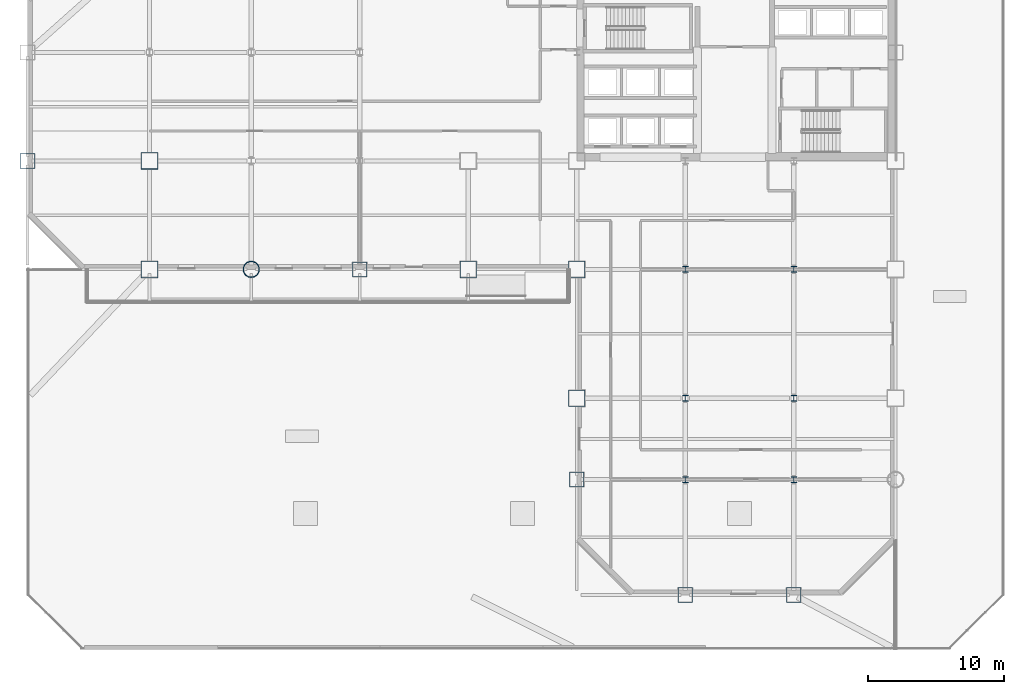
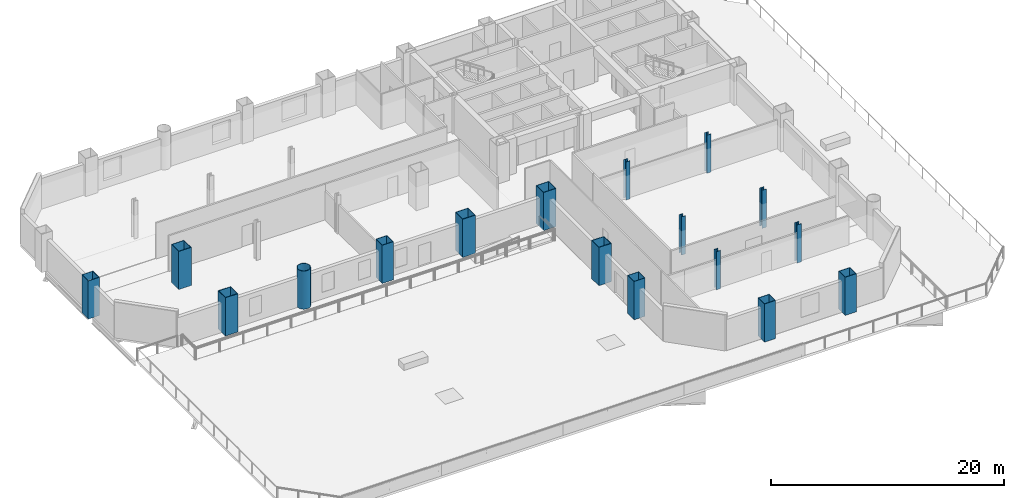
# One storey, part 1 of 11: 17 columns.
"""IFC4 building model written with IfcOpenShell, lengths in metres."""

from ifc_helpers import new_model, si_unit, direction, frame, origin, origin_2d, place, context, subcontext, project, spatial, hollow_rectangle, hollow_circle, i_section, extrude, material, material_profile, profile_set, type_object, element, save


model = new_model("IFC4")

# Units and contexts
model_context = context("Model", 3, precision=1e-05, world=origin(), true_north=direction((0.0, 1.0)))
body_context = subcontext(model_context, "Body", "Model", "MODEL_VIEW")
ifc_project = project(units=[si_unit("LENGTHUNIT", "METRE"), si_unit("AREAUNIT", "SQUARE_METRE"), si_unit("VOLUMEUNIT", "CUBIC_METRE"), si_unit("PLANEANGLEUNIT", "RADIAN"), si_unit("MASSUNIT", "GRAM", prefix="KILO")], contexts=[model_context])

# Site, building, storey
site_placement = place(None, origin())
site = spatial("IfcSite", under=ifc_project, at=site_placement, CompositionType="ELEMENT")
building_placement = place(site_placement, origin())
building = spatial("IfcBuilding", under=site, at=building_placement, Name="Qianrong Seaharbour Tower", CompositionType="ELEMENT")
storey_placement = place(building_placement, frame((0.0, 0.0, 28.199951171875)))
storey = spatial("IfcBuildingStorey", under=building, at=storey_placement, Name="L06", CompositionType="ELEMENT", Elevation=28.199951171875)

# Columns
ifc_material = material(Name="Structural steel SN490B", Category="steel")
ifc_material_profile_1 = material_profile(ifc_material, hollow_rectangle(XDim=1.25, YDim=1.25, WallThickness=0.044921875, at=origin_2d()), Name="BOX1250x1250x45")
ifc_profile_set_1 = profile_set([ifc_material_profile_1], Name="Structural steel SN490B")
column_type_1 = type_object("IfcColumnType", Name="COL-CFT-1250", PredefinedType="COLUMN", material=ifc_profile_set_1)
for number, where, z_axis, x_axis, name in (
    (1, (9.0, 28.0, 0.0), (0.0, 0.0, 1.0), (1.0, 0.0, 0.0), "L06 Column MC-2 at G2/GE"),
    (2, (9.0, 36.0, 0.0), (0.0, 0.0, 1.0), (1.0, 0.0, 0.0), "L06 Column MC-2 at G2/GF"),
    (3, (32.5, 28.0, 0.0), (0.0, 0.0, 1.0), (1.0, 0.0, 0.0), "L06 Column MC-2 at G5/GE"),
    (4, (40.5, 18.5, 0.0), (0.0, 0.0, 1.0), (1.0, 0.0, 0.0), "L06 Column MC-2 at G6/GD"),
    (5, (40.5, 28.0, 0.0), (0.0, 0.0, 1.0), (1.0, 0.0, 0.0), "L06 Column MC-2 at G6/GE"),
):
    element("IfcColumn", number, at=place(storey_placement, frame(where, z_axis=z_axis, x_axis=x_axis)), inside=storey, type_object=column_type_1, Name=name, PredefinedType="COLUMN", context=body_context, shape_type="SweptSolid", body=[
        extrude(hollow_rectangle(XDim=1.25, YDim=1.25, WallThickness=0.044921875, at=origin_2d()), origin(), (0.0, 0.0, 1.0), 4.0),
    ])
ifc_material_profile_2 = material_profile(ifc_material, hollow_circle(Radius=0.60009765625, WallThickness=0.0400390625, at=origin_2d()), Name="CHS1200x40")
ifc_profile_set_2 = profile_set([ifc_material_profile_2], Name="Structural steel SN490B")
column_type_2 = type_object("IfcColumnType", Name="COL-CHS-1200", PredefinedType="COLUMN", material=ifc_profile_set_2)
column_placement = place(storey_placement, frame((16.5, 28.0, 0.0), z_axis=(0.0, 0.0, 1.0), x_axis=(1.0, 0.0, 0.0)))
element("IfcColumn", 6, at=column_placement, inside=storey, type_object=column_type_2, Name="L06 Column CC-1 at G3/GE", PredefinedType="COLUMN", context=body_context, shape_type="SweptSolid", body=[
    extrude(hollow_circle(Radius=0.60009765625, WallThickness=0.0400390625, at=origin_2d()), origin(), (0.0, 0.0, 1.0), 4.0),
])
ifc_material_profile_3 = material_profile(ifc_material, i_section(OverallWidth=0.406982421875, OverallDepth=0.427978515625, WebThickness=0.02001953125, FlangeThickness=0.034912109375, FilletRadius=0.02197265625, at=origin_2d()), Name="H428x407x20x35")
ifc_profile_set_3 = profile_set([ifc_material_profile_3], Name="Structural steel SN490B")
column_type_3 = type_object("IfcColumnType", Name="COL-INT-H428", PredefinedType="COLUMN", material=ifc_profile_set_3)
for number, where, z_axis, x_axis, name in (
    (7, (48.5, 12.5, 0.0), (0.0, 0.0, 1.0), (1.0, 0.0, 0.0), "L06 Column IC-2 at G7/GC"),
    (8, (48.5, 18.5, 0.0), (0.0, 0.0, 1.0), (1.0, 0.0, 0.0), "L06 Column IC-2 at G7/GD"),
    (9, (48.5, 28.0, 0.0), (0.0, 0.0, 1.0), (1.0, 0.0, 0.0), "L06 Column IC-2 at G7/GE"),
    (10, (56.5, 12.5, 0.0), (0.0, 0.0, 1.0), (1.0, 0.0, 0.0), "L06 Column IC-2 at G8/GC"),
    (11, (56.5, 18.5, 0.0), (0.0, 0.0, 1.0), (1.0, 0.0, 0.0), "L06 Column IC-2 at G8/GD"),
    (12, (56.5, 28.0, 0.0), (0.0, 0.0, 1.0), (1.0, 0.0, 0.0), "L06 Column IC-2 at G8/GE"),
):
    element("IfcColumn", number, at=place(storey_placement, frame(where, z_axis=z_axis, x_axis=x_axis)), inside=storey, type_object=column_type_3, Name=name, PredefinedType="COLUMN", context=body_context, shape_type="SweptSolid", body=[
        extrude(i_section(OverallWidth=0.406982421875, OverallDepth=0.427978515625, WebThickness=0.02001953125, FlangeThickness=0.034912109375, FilletRadius=0.02197265625, at=origin_2d()), origin(), (0.0, 0.0, 1.0), 4.0),
    ])
ifc_material_profile_4 = material_profile(ifc_material, hollow_rectangle(XDim=1.10009765625, YDim=1.10009765625, WallThickness=0.0400390625, at=origin_2d()), Name="BOX1100x1100x40")
ifc_profile_set_4 = profile_set([ifc_material_profile_4], Name="Structural steel SN490B")
column_type_4 = type_object("IfcColumnType", Name="COL-PER-1100", PredefinedType="COLUMN", material=ifc_profile_set_4)
for number, where, z_axis, x_axis, name in (
    (13, (0.0, 36.0, 0.0), (0.0, 0.0, 1.0), (1.0, 0.0, 0.0), "L06 Column PC-1 at G1/GF"),
    (14, (24.5, 28.0, 0.0), (0.0, 0.0, 1.0), (1.0, 0.0, 0.0), "L06 Column PC-1 at G4/GE"),
    (15, (40.5, 12.5, 0.0), (0.0, 0.0, 1.0), (1.0, 0.0, 0.0), "L06 Column PC-1 at G6/GC"),
    (16, (48.5, 4.0, 0.0), (0.0, 0.0, 1.0), (1.0, 0.0, 0.0), "L06 Column PC-1 at G7/GB"),
    (17, (56.5, 4.0, 0.0), (0.0, 0.0, 1.0), (1.0, 0.0, 0.0), "L06 Column PC-1 at G8/GB"),
):
    element("IfcColumn", number, at=place(storey_placement, frame(where, z_axis=z_axis, x_axis=x_axis)), inside=storey, type_object=column_type_4, Name=name, PredefinedType="COLUMN", context=body_context, shape_type="SweptSolid", body=[
        extrude(hollow_rectangle(XDim=1.10009765625, YDim=1.10009765625, WallThickness=0.0400390625, at=origin_2d()), origin(), (0.0, 0.0, 1.0), 4.0),
    ])

save(model, "model.ifc")
